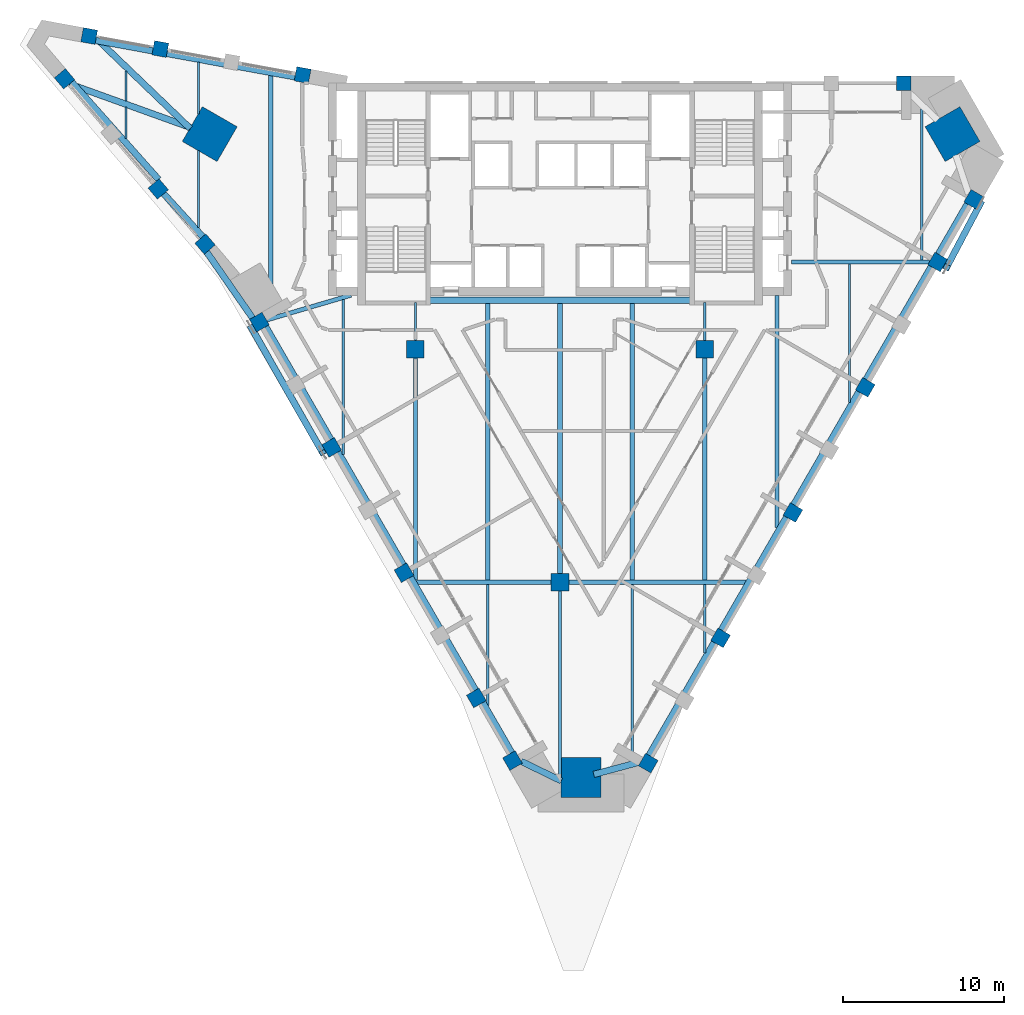
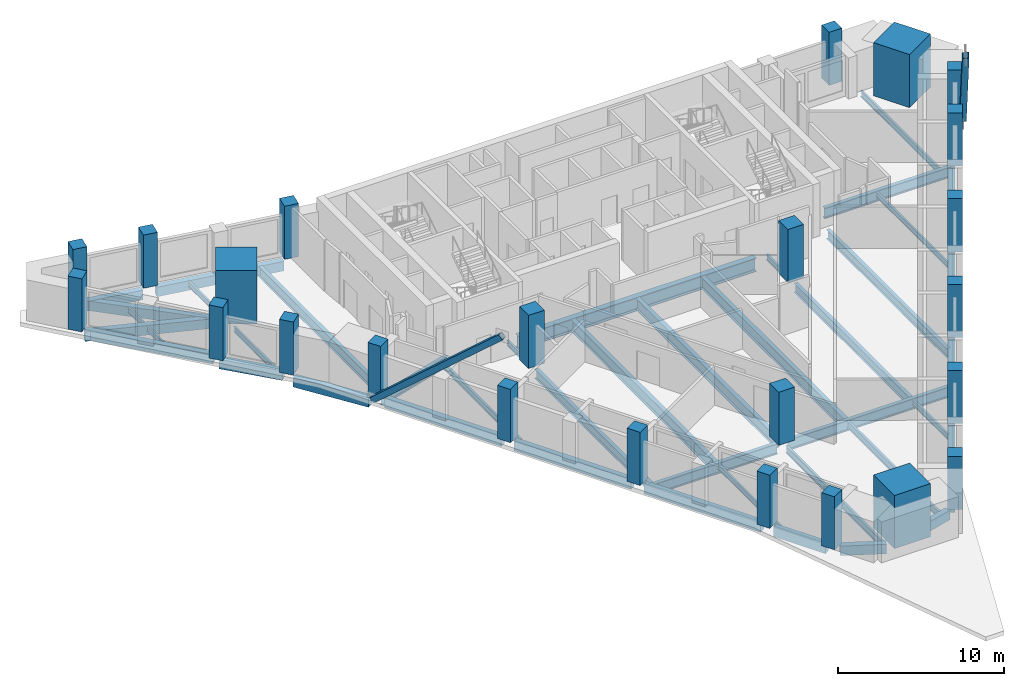
# One storey, part 1 of 9: 43 beams, 24 columns, 2 members.
"""IFC4 building model written with IfcOpenShell, lengths in metres."""

from ifc_helpers import new_model, si_unit, direction, frame, origin, origin_2d, place, context, subcontext, project, spatial, rectangle, hollow_rectangle, i_section, extrude, material, material_profile, profile_set, type_object, element, save


model = new_model("IFC4")

# Units and contexts
model_context = context("Model", 3, precision=1e-05, world=origin(), true_north=direction((0.0, 1.0)))
body_context = subcontext(model_context, "Body", "Model", "MODEL_VIEW")
ifc_project = project(units=[si_unit("LENGTHUNIT", "METRE"), si_unit("AREAUNIT", "SQUARE_METRE"), si_unit("VOLUMEUNIT", "CUBIC_METRE"), si_unit("PLANEANGLEUNIT", "RADIAN"), si_unit("MASSUNIT", "GRAM", prefix="KILO")], contexts=[model_context])

# Site, building, storey
site_placement = place(None, origin())
site = spatial("IfcSite", under=ifc_project, at=site_placement, CompositionType="ELEMENT")
building_placement = place(site_placement, origin())
building = spatial("IfcBuilding", under=site, at=building_placement, Name="Calabash Gate Tower", CompositionType="ELEMENT")
storey_placement = place(building_placement, frame((0.0, 0.0, 196.39990234375)))
storey = spatial("IfcBuildingStorey", under=building, at=storey_placement, Name="L46", CompositionType="ELEMENT", Elevation=196.39990234375)

# Columns
ifc_material_1 = material(Name="Concrete C60/75", Category="concrete")
ifc_material_profile_1 = material_profile(ifc_material_1, rectangle(XDim=1.10009765625, YDim=1.10009765625, at=origin_2d()))
ifc_profile_set_1 = profile_set([ifc_material_profile_1], Name="Concrete C60/75")
column_type_1 = type_object("IfcColumnType", Name="Interior column RC 1100x1100 Concrete C60/75", PredefinedType="COLUMN", material=ifc_profile_set_1)
for number, where, z_axis, x_axis, name in (
    (1, (-9.0, 2.5, 0.0), (0.0, 0.0, 1.0), (1.0, 0.0, 0.0), "Interior column L46 I0"),
    (2, (9.0, 2.5, 0.0), (0.0, 0.0, 1.0), (1.0, 0.0, 0.0), "Interior column L46 I1"),
    (3, (0.0, -12.0, 0.0), (0.0, 0.0, 1.0), (1.0, 0.0, 0.0), "Interior column L46 I2"),
):
    element("IfcColumn", number, at=place(storey_placement, frame(where, z_axis=z_axis, x_axis=x_axis)), inside=storey, type_object=column_type_1, Name=name, PredefinedType="COLUMN", context=body_context, shape_type="SweptSolid", body=[
        extrude(rectangle(XDim=1.10009765625, YDim=1.10009765625, at=origin_2d()), origin(), (0.0, 0.0, 1.0), 3.900146484375),
    ])
ifc_material_2 = material(Name="Concrete C70/85", Category="concrete")
ifc_material_profile_2 = material_profile(ifc_material_2, rectangle(XDim=2.5, YDim=2.5, at=origin_2d()))
ifc_profile_set_2 = profile_set([ifc_material_profile_2], Name="Concrete C70/85")
column_type_2 = type_object("IfcColumnType", Name="Mega column RC 2500x2500 Concrete C70/85", PredefinedType="COLUMN", material=ifc_profile_set_2)
for number, where, z_axis, x_axis, name in (
    (4, (-21.7958984375, 15.8798828125, 0.0), (0.0, 0.0, 1.0), (0.866025377604, -0.500000045345, 0.0), "Mega column L46 NW"),
    (5, (24.4169921875, 15.8798828125, 0.0), (0.0, 0.0, 1.0), (-0.866025377604, -0.500000045345, 0.0), "Mega column L46 NE"),
    (6, (1.31005859375, -24.14208984375, 0.0), (0.0, 0.0, 1.0), (0.0, 1.0, 0.0), "Mega column L46 S"),
):
    element("IfcColumn", number, at=place(storey_placement, frame(where, z_axis=z_axis, x_axis=x_axis)), inside=storey, type_object=column_type_2, Name=name, PredefinedType="COLUMN", context=body_context, shape_type="SweptSolid", body=[
        extrude(rectangle(XDim=2.5, YDim=2.5, at=origin_2d()), origin(), (0.0, 0.0, 1.0), 3.900146484375),
    ])
ifc_material_3 = material(Name="Concrete C60/75", Category="concrete")
ifc_material_profile_3 = material_profile(ifc_material_3, rectangle(XDim=0.89990234375, YDim=0.89990234375, at=origin_2d()))
ifc_profile_set_3 = profile_set([ifc_material_profile_3], Name="Concrete C60/75")
column_type_3 = type_object("IfcColumnType", Name="Perimeter column RC 900x900 Concrete C60/75", PredefinedType="COLUMN", material=ifc_profile_set_3)
for number, where, z_axis, x_axis, name in (
    (7, (-18.70703125, 4.18408203125, 0.0), (0.0, 0.0, 1.0), (0.5, -0.866025403784, 0.0), "Perimeter column L46 P00"),
    (8, (-14.20703125, -3.610107421875, 0.0), (0.0, 0.0, 1.0), (0.5, -0.866025403784, 0.0), "Perimeter column L46 P01"),
    (9, (-9.70703125, -11.404052734375, 0.0), (0.0, 0.0, 1.0), (0.5, -0.866025403784, 0.0), "Perimeter column L46 P02"),
    (10, (-5.20703125, -19.198974609375, 0.0), (0.0, 0.0, 1.0), (0.5, -0.866025403784, 0.0), "Perimeter column L46 P03"),
    (11, (-2.95703125, -23.095947265625, 0.0), (0.0, 0.0, 1.0), (0.5, -0.866025403784, 0.0), "Perimeter column L46 P25"),
    (12, (5.486083984375, -23.25390625, 0.0), (0.0, 0.0, 1.0), (0.5, 0.866025403784, 0.0), "Perimeter column L46 P08"),
    (13, (9.986083984375, -15.4599609375, 0.0), (0.0, 0.0, 1.0), (0.5, 0.866025403784, 0.0), "Perimeter column L46 P09"),
    (14, (14.486083984375, -7.6630859375, 0.0), (0.0, 0.0, 1.0), (0.5, 0.866025403784, 0.0), "Perimeter column L46 P10"),
    (15, (18.986083984375, 0.12890625, 0.0), (0.0, 0.0, 1.0), (0.5, 0.866025403784, 0.0), "Perimeter column L46 P11"),
    (16, (23.486083984375, 7.923095703125, 0.0), (0.0, 0.0, 1.0), (0.5, 0.866025403784, 0.0), "Perimeter column L46 P12"),
    (17, (25.736083984375, 11.820068359375, 0.0), (0.0, 0.0, 1.0), (0.5, 0.866025403784, 0.0), "Perimeter column L46 P13"),
    (18, (21.3779296875, 19.052978515625, 0.0), (0.0, 0.0, 1.0), (-1.0, 0.0, 0.0), "Perimeter column L46 P24"),
    (19, (-16.012939453125, 19.551025390625, 0.0), (0.0, 0.0, 1.0), (-0.983669930074, 0.179981856499, 0.0), "Perimeter column L46 P31"),
    (20, (-24.865966796875, 21.1708984375, 0.0), (0.0, 0.0, 1.0), (-0.983669930074, 0.179981856499, 0.0), "Perimeter column L46 P32"),
    (21, (-29.29296875, 21.97998046875, 0.0), (0.0, 0.0, 1.0), (-0.983669930074, 0.179981856499, 0.0), "Perimeter column L46 P33"),
    (22, (-30.827880859375, 19.322021484375, 0.0), (0.0, 0.0, 1.0), (0.647703824985, -0.761892220133, 0.0), "Perimeter column L46 P34"),
    (23, (-24.998046875, 12.467041015625, 0.0), (0.0, 0.0, 1.0), (0.647703824985, -0.761892220133, 0.0), "Perimeter column L46 P20"),
    (24, (-22.083984375, 9.037109375, 0.0), (0.0, 0.0, 1.0), (0.647703824985, -0.761892220133, 0.0), "Perimeter column L46 P35"),
):
    element("IfcColumn", number, at=place(storey_placement, frame(where, z_axis=z_axis, x_axis=x_axis)), inside=storey, type_object=column_type_3, Name=name, PredefinedType="COLUMN", context=body_context, shape_type="SweptSolid", body=[
        extrude(rectangle(XDim=0.89990234375, YDim=0.89990234375, at=origin_2d()), origin(), (0.0, 0.0, 1.0), 3.900146484375),
    ])

# Beams
ifc_material_4 = material(Name="Concrete C50/60", Category="concrete")
ifc_material_profile_4 = material_profile(ifc_material_4, rectangle(XDim=0.39990234375, YDim=0.699951171875, at=origin_2d()))
ifc_profile_set_4 = profile_set([ifc_material_profile_4], Name="Concrete C50/60")
beam_type_1 = type_object("IfcBeamType", Name="Edge beam RC 400x700 Concrete C50/60", PredefinedType="BEAM", material=ifc_profile_set_4)
beam_1_placement = place(storey_placement, frame((-13.80810546875, -3.89990234375, -0.52001953125), z_axis=(0.500091252813, -0.865972712538, 0.0), x_axis=(0.865972712538, 0.500091252813, 0.0)))
element("IfcBeam", 25, at=beam_1_placement, inside=storey, type_object=beam_type_1, Name="Edge beam L46 1", PredefinedType="BEAM", context=body_context, shape_type="SweptSolid", body=[
    extrude(rectangle(XDim=0.39990234375, YDim=0.699951171875, at=origin_2d()), origin(), (0.0, 0.0, 1.0), 8.0986328125),
])
beam_2_placement = place(storey_placement, frame((-9.30810546875, -11.694091796875, -0.52001953125), z_axis=(0.499999880539, -0.866025472755, 0.0), x_axis=(0.866025472755, 0.499999880539, 0.0)))
element("IfcBeam", 26, at=beam_2_placement, inside=storey, type_object=beam_type_1, Name="Edge beam L46 2", PredefinedType="BEAM", context=body_context, shape_type="SweptSolid", body=[
    extrude(rectangle(XDim=0.39990234375, YDim=0.699951171875, at=origin_2d()), origin(), (0.0, 0.0, 1.0), 8.10009765625),
])
beam_3_placement = place(storey_placement, frame((-4.80810546875, -19.488037109375, -0.52001953125), z_axis=(0.499982693035, -0.866035395735, 0.0), x_axis=(0.866035395735, 0.499982693035, 0.0)))
element("IfcBeam", 27, at=beam_3_placement, inside=storey, type_object=beam_type_1, Name="Edge beam L46 3", PredefinedType="BEAM", context=body_context, shape_type="SweptSolid", body=[
    extrude(rectangle(XDim=0.39990234375, YDim=0.699951171875, at=origin_2d()), origin(), (0.0, 0.0, 1.0), 3.600341796875),
])
beam_4_placement = place(storey_placement, frame((-2.4189453125, -23.139892578125, -0.52001953125), z_axis=(0.898841827038, -0.438273168203, 0.0), x_axis=(0.438273168203, 0.898841827038, 0.0)))
element("IfcBeam", 28, at=beam_4_placement, inside=storey, type_object=beam_type_1, Name="Edge beam L46 4", PredefinedType="BEAM", context=body_context, shape_type="SweptSolid", body=[
    extrude(rectangle(XDim=0.39990234375, YDim=0.699951171875, at=origin_2d()), origin(), (0.0, 0.0, 1.0), 2.78125),
])
beam_5_placement = place(storey_placement, frame((2.096923828125, -23.9560546875, -0.52001953125), z_axis=(0.965834015077, 0.25916144644, 0.0), x_axis=(-0.25916144644, 0.965834015077, 0.0)))
element("IfcBeam", 29, at=beam_5_placement, inside=storey, type_object=beam_type_1, Name="Edge beam L46 5", PredefinedType="BEAM", context=body_context, shape_type="SweptSolid", body=[
    extrude(rectangle(XDim=0.39990234375, YDim=0.699951171875, at=origin_2d()), origin(), (0.0, 0.0, 1.0), 3.041015625),
])
beam_6_placement = place(storey_placement, frame((5.5380859375, -22.763916015625, -0.52001953125), z_axis=(0.499977274689, 0.866038523851, 0.0), x_axis=(-0.866038523851, 0.499977274689, 0.0)))
element("IfcBeam", 30, at=beam_6_placement, inside=storey, type_object=beam_type_1, Name="Edge beam L46 6", PredefinedType="BEAM", context=body_context, shape_type="SweptSolid", body=[
    extrude(rectangle(XDim=0.39990234375, YDim=0.699951171875, at=origin_2d()), origin(), (0.0, 0.0, 1.0), 8.10009765625),
])
beam_7_placement = place(storey_placement, frame((10.0380859375, -14.969970703125, -0.52001953125), z_axis=(0.499859838702, 0.866106310826, 0.0), x_axis=(-0.866106310826, 0.499859838702, 0.0)))
element("IfcBeam", 31, at=beam_7_placement, inside=storey, type_object=beam_type_1, Name="Edge beam L46 7", PredefinedType="BEAM", context=body_context, shape_type="SweptSolid", body=[
    extrude(rectangle(XDim=0.39990234375, YDim=0.699951171875, at=origin_2d()), origin(), (0.0, 0.0, 1.0), 8.101806640625),
])
beam_8_placement = place(storey_placement, frame((14.5380859375, -7.176025390625, -0.52001953125), z_axis=(0.499964223975, 0.866046058097, 0.0), x_axis=(-0.866046058097, 0.499964223975, 0.0)))
element("IfcBeam", 32, at=beam_8_placement, inside=storey, type_object=beam_type_1, Name="Edge beam L46 8", PredefinedType="BEAM", context=body_context, shape_type="SweptSolid", body=[
    extrude(rectangle(XDim=0.39990234375, YDim=0.699951171875, at=origin_2d()), origin(), (0.0, 0.0, 1.0), 8.10009765625),
])
beam_9_placement = place(storey_placement, frame((19.0380859375, 0.618896484375, -0.52001953125), z_axis=(0.500016430238, 0.866015917575, 0.0), x_axis=(-0.866015917575, 0.500016430238, 0.0)))
element("IfcBeam", 33, at=beam_9_placement, inside=storey, type_object=beam_type_1, Name="Edge beam L46 9", PredefinedType="BEAM", context=body_context, shape_type="SweptSolid", body=[
    extrude(rectangle(XDim=0.39990234375, YDim=0.699951171875, at=origin_2d()), origin(), (0.0, 0.0, 1.0), 8.099365234375),
])
beam_10_placement = place(storey_placement, frame((23.5380859375, 8.4130859375, -0.52001953125), z_axis=(0.500049301049, 0.86599693794, 0.0), x_axis=(-0.86599693794, 0.500049301049, 0.0)))
element("IfcBeam", 34, at=beam_10_placement, inside=storey, type_object=beam_type_1, Name="Edge beam L46 10", PredefinedType="BEAM", context=body_context, shape_type="SweptSolid", body=[
    extrude(rectangle(XDim=0.39990234375, YDim=0.699951171875, at=origin_2d()), origin(), (0.0, 0.0, 1.0), 3.599365234375),
])
beam_11_placement = place(storey_placement, frame((-16.491943359375, 19.43701171875, -0.52001953125), z_axis=(-0.983710376503, 0.179760660767, 0.0), x_axis=(-0.179760660767, -0.983710376503, 0.0)))
element("IfcBeam", 35, at=beam_11_placement, inside=storey, type_object=beam_type_1, Name="Edge beam L46 13", PredefinedType="BEAM", context=body_context, shape_type="SweptSolid", body=[
    extrude(rectangle(XDim=0.39990234375, YDim=0.699951171875, at=origin_2d()), origin(), (0.0, 0.0, 1.0), 8.099853515625),
])
beam_12_placement = place(storey_placement, frame((-25.343017578125, 21.056884765625, -0.52001953125), z_axis=(-0.983780846892, 0.179374594879, 0.0), x_axis=(-0.179374594879, -0.983780846892, 0.0)))
element("IfcBeam", 36, at=beam_12_placement, inside=storey, type_object=beam_type_1, Name="Edge beam L46 14", PredefinedType="BEAM", context=body_context, shape_type="SweptSolid", body=[
    extrude(rectangle(XDim=0.39990234375, YDim=0.699951171875, at=origin_2d()), origin(), (0.0, 0.0, 1.0), 3.601318359375),
])
beam_13_placement = place(storey_placement, frame((-28.8701171875, 21.85009765625, -0.52001953125), z_axis=(0.721557989664, -0.692354004504, 0.0), x_axis=(0.692354004504, 0.721557989664, 0.0)))
element("IfcBeam", 37, at=beam_13_placement, inside=storey, type_object=beam_type_1, Name="Edge beam L46 15", PredefinedType="BEAM", context=body_context, shape_type="SweptSolid", body=[
    extrude(rectangle(XDim=0.39990234375, YDim=0.699951171875, at=origin_2d()), origin(), (0.0, 0.0, 1.0), 8.117431640625),
])
beam_14_placement = place(storey_placement, frame((-22.98193359375, 16.287109375, -0.52001953125), z_axis=(-0.940926223846, 0.338611637837, 0.0), x_axis=(-0.338611637837, -0.940926223846, 0.0)))
element("IfcBeam", 38, at=beam_14_placement, inside=storey, type_object=beam_type_1, Name="Edge beam L46 16", PredefinedType="BEAM", context=body_context, shape_type="SweptSolid", body=[
    extrude(rectangle(XDim=0.39990234375, YDim=0.699951171875, at=origin_2d()), origin(), (0.0, 0.0, 1.0), 8.017578125),
])
beam_15_placement = place(storey_placement, frame((-30.389892578125, 19.132080078125, -0.52001953125), z_axis=(0.665233110043, -0.746635727315, 0.0), x_axis=(0.746635727315, 0.665233110043, 0.0)))
element("IfcBeam", 39, at=beam_15_placement, inside=storey, type_object=beam_type_1, Name="Edge beam L46 17", PredefinedType="BEAM", context=body_context, shape_type="SweptSolid", body=[
    extrude(rectangle(XDim=0.39990234375, YDim=0.699951171875, at=origin_2d()), origin(), (0.0, 0.0, 1.0), 8.13671875),
])
beam_16_placement = place(storey_placement, frame((-24.910888671875, 12.449951171875, -0.52001953125), z_axis=(0.672053664313, -0.740502445832, 0.0), x_axis=(0.740502445832, 0.672053664313, 0.0)))
element("IfcBeam", 40, at=beam_16_placement, inside=storey, type_object=beam_type_1, Name="Edge beam L46 18", PredefinedType="BEAM", context=body_context, shape_type="SweptSolid", body=[
    extrude(rectangle(XDim=0.39990234375, YDim=0.699951171875, at=origin_2d()), origin(), (0.0, 0.0, 1.0), 4.00537109375),
])
beam_17_placement = place(storey_placement, frame((-21.98291015625, 8.5458984375, -0.52001953125), z_axis=(0.570816289465, -0.821077806107, 0.0), x_axis=(0.821077806107, 0.570816289465, 0.0)))
element("IfcBeam", 41, at=beam_17_placement, inside=storey, type_object=beam_type_1, Name="Edge beam L46 19", PredefinedType="BEAM", context=body_context, shape_type="SweptSolid", body=[
    extrude(rectangle(XDim=0.39990234375, YDim=0.699951171875, at=origin_2d()), origin(), (0.0, 0.0, 1.0), 5.015380859375),
])
beam_18_placement = place(storey_placement, frame((-18.30810546875, 3.89404296875, -0.52001953125), z_axis=(0.500039036678, -0.866002864775, 0.0), x_axis=(0.866002864775, 0.500039036678, 0.0)))
element("IfcBeam", 42, at=beam_18_placement, inside=storey, type_object=beam_type_1, Name="Edge beam L46 20", PredefinedType="BEAM", context=body_context, shape_type="SweptSolid", body=[
    extrude(rectangle(XDim=0.39990234375, YDim=0.699951171875, at=origin_2d()), origin(), (0.0, 0.0, 1.0), 8.099365234375),
])
ifc_material_5 = material(Name="Steel ASTM A992 Gr50", Category="steel")
ifc_material_profile_5 = material_profile(ifc_material_5, i_section(OverallWidth=0.1396484375, OverallDepth=0.398681640625, WebThickness=0.00634765625, FlangeThickness=0.0087890625, FilletRadius=0.01025390625, at=origin_2d()))
ifc_profile_set_5 = profile_set([ifc_material_profile_5], Name="Steel ASTM A992 Gr50")
beam_type_2 = type_object("IfcBeamType", Name="Floor beam W16x26 ASTM A992 Gr50", PredefinedType="BEAM", material=ifc_profile_set_5)
beam_19_placement = place(storey_placement, frame((-27.0, 15.595947265625, -0.368896484375), z_axis=(0.0, 1.0, 0.0), x_axis=(-1.0, 0.0, 0.0)))
element("IfcBeam", 43, at=beam_19_placement, inside=storey, type_object=beam_type_2, Name="Floor beam L46 1", PredefinedType="BEAM", context=body_context, shape_type="SweptSolid", body=[
    extrude(i_section(OverallWidth=0.1396484375, OverallDepth=0.398681640625, WebThickness=0.00634765625, FlangeThickness=0.0087890625, FilletRadius=0.01025390625, at=origin_2d()), origin(), (0.0, 0.0, 1.0), 1.9560546875),
])
beam_20_placement = place(storey_placement, frame((-27.0, 17.93310546875, -0.368896484375), z_axis=(0.0, 1.0, 0.0), x_axis=(-1.0, 0.0, 0.0)))
element("IfcBeam", 44, at=beam_20_placement, inside=storey, type_object=beam_type_2, Name="Floor beam L46 2", PredefinedType="BEAM", context=body_context, shape_type="SweptSolid", body=[
    extrude(i_section(OverallWidth=0.1396484375, OverallDepth=0.398681640625, WebThickness=0.00634765625, FlangeThickness=0.0087890625, FilletRadius=0.01025390625, at=origin_2d()), origin(), (0.0, 0.0, 1.0), 1.866943359375),
])
beam_21_placement = place(storey_placement, frame((-22.5, 10.06201171875, -0.368896484375), z_axis=(0.0, 1.0, 0.0), x_axis=(-1.0, 0.0, 0.0)))
element("IfcBeam", 45, at=beam_21_placement, inside=storey, type_object=beam_type_2, Name="Floor beam L46 3", PredefinedType="BEAM", context=body_context, shape_type="SweptSolid", body=[
    extrude(i_section(OverallWidth=0.1396484375, OverallDepth=0.398681640625, WebThickness=0.00634765625, FlangeThickness=0.0087890625, FilletRadius=0.01025390625, at=origin_2d()), origin(), (0.0, 0.0, 1.0), 4.81103515625),
])
beam_22_placement = place(storey_placement, frame((-22.5, 17.132080078125, -0.368896484375), z_axis=(0.0, 1.0, 0.0), x_axis=(-1.0, 0.0, 0.0)))
element("IfcBeam", 46, at=beam_22_placement, inside=storey, type_object=beam_type_2, Name="Floor beam L46 4", PredefinedType="BEAM", context=body_context, shape_type="SweptSolid", body=[
    extrude(i_section(OverallWidth=0.1396484375, OverallDepth=0.398681640625, WebThickness=0.00634765625, FlangeThickness=0.0087890625, FilletRadius=0.01025390625, at=origin_2d()), origin(), (0.0, 0.0, 1.0), 3.23095703125),
])
beam_23_placement = place(storey_placement, frame((-9.0, 3.050048828125, -0.368896484375), z_axis=(0.0, 1.0, 0.0), x_axis=(-1.0, 0.0, 0.0)))
element("IfcBeam", 47, at=beam_23_placement, inside=storey, type_object=beam_type_2, Name="Floor beam L46 8", PredefinedType="BEAM", context=body_context, shape_type="SweptSolid", body=[
    extrude(i_section(OverallWidth=0.1396484375, OverallDepth=0.398681640625, WebThickness=0.00634765625, FlangeThickness=0.0087890625, FilletRadius=0.01025390625, at=origin_2d()), origin(), (0.0, 0.0, 1.0), 2.35302734375),
])
beam_24_placement = place(storey_placement, frame((-4.5, -19.654052734375, -0.368896484375), z_axis=(0.0, 1.0, 0.0), x_axis=(-1.0, 0.0, 0.0)))
element("IfcBeam", 48, at=beam_24_placement, inside=storey, type_object=beam_type_2, Name="Floor beam L46 9", PredefinedType="BEAM", context=body_context, shape_type="SweptSolid", body=[
    extrude(i_section(OverallWidth=0.1396484375, OverallDepth=0.398681640625, WebThickness=0.00634765625, FlangeThickness=0.0087890625, FilletRadius=0.01025390625, at=origin_2d()), origin(), (0.0, 0.0, 1.0), 7.52099609375),
])
beam_25_placement = place(storey_placement, frame((9.0, -16.39892578125, -0.368896484375), z_axis=(0.0, 1.0, 0.0), x_axis=(-1.0, 0.0, 0.0)))
element("IfcBeam", 49, at=beam_25_placement, inside=storey, type_object=beam_type_2, Name="Floor beam L46 15", PredefinedType="BEAM", context=body_context, shape_type="SweptSolid", body=[
    extrude(i_section(OverallWidth=0.1396484375, OverallDepth=0.398681640625, WebThickness=0.00634765625, FlangeThickness=0.0087890625, FilletRadius=0.01025390625, at=origin_2d()), origin(), (0.0, 0.0, 1.0), 4.265869140625),
])
beam_26_placement = place(storey_placement, frame((9.0, 3.050048828125, -0.368896484375), z_axis=(0.0, 1.0, 0.0), x_axis=(-1.0, 0.0, 0.0)))
element("IfcBeam", 50, at=beam_26_placement, inside=storey, type_object=beam_type_2, Name="Floor beam L46 17", PredefinedType="BEAM", context=body_context, shape_type="SweptSolid", body=[
    extrude(i_section(OverallWidth=0.1396484375, OverallDepth=0.398681640625, WebThickness=0.00634765625, FlangeThickness=0.0087890625, FilletRadius=0.01025390625, at=origin_2d()), origin(), (0.0, 0.0, 1.0), 2.35302734375),
])
beam_27_placement = place(storey_placement, frame((18.0, -0.81103515625, -0.368896484375), z_axis=(0.0, 1.0, 0.0), x_axis=(-1.0, 0.0, 0.0)))
element("IfcBeam", 51, at=beam_27_placement, inside=storey, type_object=beam_type_2, Name="Floor beam L46 19", PredefinedType="BEAM", context=body_context, shape_type="SweptSolid", body=[
    extrude(i_section(OverallWidth=0.1396484375, OverallDepth=0.398681640625, WebThickness=0.00634765625, FlangeThickness=0.0087890625, FilletRadius=0.01025390625, at=origin_2d()), origin(), (0.0, 0.0, 1.0), 8.60107421875),
])
ifc_material_6 = material(Name="Steel ASTM A992 Gr50", Category="steel")
ifc_material_profile_6 = material_profile(ifc_material_6, i_section(OverallWidth=0.15234375, OverallDepth=0.44970703125, WebThickness=0.007568359375, FlangeThickness=0.0107421875, FilletRadius=0.01025390625, at=origin_2d()))
ifc_profile_set_6 = profile_set([ifc_material_profile_6], Name="Steel ASTM A992 Gr50")
beam_type_3 = type_object("IfcBeamType", Name="Floor beam W18x35 ASTM A992 Gr50", PredefinedType="BEAM", material=ifc_profile_set_6)
beam_28_placement = place(storey_placement, frame((-13.5, -4.0458984375, -0.392822265625), z_axis=(0.0, 1.0, 0.0), x_axis=(-1.0, 0.0, 0.0)))
element("IfcBeam", 52, at=beam_28_placement, inside=storey, type_object=beam_type_3, Name="Floor beam L46 6", PredefinedType="BEAM", context=body_context, shape_type="SweptSolid", body=[
    extrude(i_section(OverallWidth=0.15234375, OverallDepth=0.44970703125, WebThickness=0.007568359375, FlangeThickness=0.0107421875, FilletRadius=0.01025390625, at=origin_2d()), origin(), (0.0, 0.0, 1.0), 9.642822265625),
])
beam_29_placement = place(storey_placement, frame((22.5, 8.055908203125, -0.392822265625), z_axis=(0.0, 1.0, 0.0), x_axis=(-1.0, 0.0, 0.0)))
element("IfcBeam", 53, at=beam_29_placement, inside=storey, type_object=beam_type_3, Name="Floor beam L46 20", PredefinedType="BEAM", context=body_context, shape_type="SweptSolid", body=[
    extrude(i_section(OverallWidth=0.15234375, OverallDepth=0.44970703125, WebThickness=0.007568359375, FlangeThickness=0.0107421875, FilletRadius=0.01025390625, at=origin_2d()), origin(), (0.0, 0.0, 1.0), 9.385986328125),
])
ifc_material_7 = material(Name="Steel ASTM A992 Gr50", Category="steel")
ifc_material_profile_7 = material_profile(ifc_material_7, i_section(OverallWidth=0.166015625, OverallDepth=0.5283203125, WebThickness=0.009765625, FlangeThickness=0.013671875, FilletRadius=0.0126953125, at=origin_2d()))
ifc_profile_set_7 = profile_set([ifc_material_profile_7], Name="Steel ASTM A992 Gr50")
beam_type_4 = type_object("IfcBeamType", Name="Floor beam W21x50 ASTM A992 Gr50", PredefinedType="BEAM", material=ifc_profile_set_7)
beam_30_placement = place(storey_placement, frame((0.0, -24.117919921875, -0.433837890625), z_axis=(0.0, 1.0, 0.0), x_axis=(-1.0, 0.0, 0.0)))
element("IfcBeam", 54, at=beam_30_placement, inside=storey, type_object=beam_type_4, Name="Floor beam L46 11", PredefinedType="BEAM", context=body_context, shape_type="SweptSolid", body=[
    extrude(i_section(OverallWidth=0.166015625, OverallDepth=0.5283203125, WebThickness=0.009765625, FlangeThickness=0.013671875, FilletRadius=0.0126953125, at=origin_2d()), origin(), (0.0, 0.0, 1.0), 11.56787109375),
])
beam_31_placement = place(storey_placement, frame((4.5, -23.1259765625, -0.433837890625), z_axis=(0.0, 1.0, 0.0), x_axis=(-1.0, 0.0, 0.0)))
element("IfcBeam", 55, at=beam_31_placement, inside=storey, type_object=beam_type_4, Name="Floor beam L46 13", PredefinedType="BEAM", context=body_context, shape_type="SweptSolid", body=[
    extrude(i_section(OverallWidth=0.166015625, OverallDepth=0.5283203125, WebThickness=0.009765625, FlangeThickness=0.013671875, FilletRadius=0.0126953125, at=origin_2d()), origin(), (0.0, 0.0, 1.0), 10.992919921875),
])
ifc_material_8 = material(Name="Steel ASTM A992 Gr50", Category="steel")
ifc_material_profile_8 = material_profile(ifc_material_8, i_section(OverallWidth=0.25390625, OverallDepth=0.67822265625, WebThickness=0.01171875, FlangeThickness=0.016357421875, FilletRadius=0.01513671875, at=origin_2d()))
ifc_profile_set_8 = profile_set([ifc_material_profile_8], Name="Steel ASTM A992 Gr50")
beam_type_5 = type_object("IfcBeamType", Name="Floor beam W27x84 ASTM A992 Gr50", PredefinedType="BEAM", material=ifc_profile_set_8)
beam_32_placement = place(storey_placement, frame((-9.0, -11.860107421875, -0.5087890625), z_axis=(0.0, 1.0, 0.0), x_axis=(-1.0, 0.0, 0.0)))
element("IfcBeam", 56, at=beam_32_placement, inside=storey, type_object=beam_type_5, Name="Floor beam L46 7", PredefinedType="BEAM", context=body_context, shape_type="SweptSolid", body=[
    extrude(i_section(OverallWidth=0.25390625, OverallDepth=0.67822265625, WebThickness=0.01171875, FlangeThickness=0.016357421875, FilletRadius=0.01513671875, at=origin_2d()), origin(), (0.0, 0.0, 1.0), 13.81005859375),
])
beam_33_placement = place(storey_placement, frame((9.0, -11.866943359375, -0.5087890625), z_axis=(0.0, 1.0, 0.0), x_axis=(-1.0, 0.0, 0.0)))
element("IfcBeam", 57, at=beam_33_placement, inside=storey, type_object=beam_type_5, Name="Floor beam L46 16", PredefinedType="BEAM", context=body_context, shape_type="SweptSolid", body=[
    extrude(i_section(OverallWidth=0.25390625, OverallDepth=0.67822265625, WebThickness=0.01171875, FlangeThickness=0.016357421875, FilletRadius=0.01513671875, at=origin_2d()), origin(), (0.0, 0.0, 1.0), 13.81689453125),
])
beam_34_placement = place(storey_placement, frame((13.5, -8.5830078125, -0.5087890625), z_axis=(0.0, 1.0, 0.0), x_axis=(-1.0, 0.0, 0.0)))
element("IfcBeam", 58, at=beam_34_placement, inside=storey, type_object=beam_type_5, Name="Floor beam L46 18", PredefinedType="BEAM", context=body_context, shape_type="SweptSolid", body=[
    extrude(i_section(OverallWidth=0.25390625, OverallDepth=0.67822265625, WebThickness=0.01171875, FlangeThickness=0.016357421875, FilletRadius=0.01513671875, at=origin_2d()), origin(), (0.0, 0.0, 1.0), 14.43603515625),
])
ifc_material_9 = material(Name="Steel ASTM A992 Gr50", Category="steel")
ifc_material_profile_9 = material_profile(ifc_material_9, i_section(OverallWidth=0.2666015625, OverallDepth=0.7568359375, WebThickness=0.013916015625, FlangeThickness=0.019287109375, FilletRadius=0.0166015625, at=origin_2d()))
ifc_profile_set_9 = profile_set([ifc_material_profile_9], Name="Steel ASTM A992 Gr50")
beam_type_6 = type_object("IfcBeamType", Name="Floor beam W30x108 ASTM A992 Gr50", PredefinedType="BEAM", material=ifc_profile_set_9)
beam_35_placement = place(storey_placement, frame((-18.0, 4.508056640625, -0.5478515625), z_axis=(0.0, 1.0, 0.0), x_axis=(-1.0, 0.0, 0.0)))
element("IfcBeam", 59, at=beam_35_placement, inside=storey, type_object=beam_type_6, Name="Floor beam L46 5", PredefinedType="BEAM", context=body_context, shape_type="SweptSolid", body=[
    extrude(i_section(OverallWidth=0.2666015625, OverallDepth=0.7568359375, WebThickness=0.013916015625, FlangeThickness=0.019287109375, FilletRadius=0.0166015625, at=origin_2d()), origin(), (0.0, 0.0, 1.0), 15.031982421875),
])
ifc_material_10 = material(Name="Steel ASTM A992 Gr50", Category="steel")
ifc_material_profile_10 = material_profile(ifc_material_10, i_section(OverallWidth=0.2919921875, OverallDepth=0.845703125, WebThickness=0.015380859375, FlangeThickness=0.0244140625, FilletRadius=0.017822265625, at=origin_2d()))
ifc_profile_set_10 = profile_set([ifc_material_profile_10], Name="Steel ASTM A992 Gr50")
beam_type_7 = type_object("IfcBeamType", Name="Floor beam W33x141 ASTM A992 Gr50", PredefinedType="BEAM", material=ifc_profile_set_10)
beam_36_placement = place(storey_placement, frame((-4.5, -11.866943359375, -0.593017578125), z_axis=(0.0, 1.0, 0.0), x_axis=(-1.0, 0.0, 0.0)))
element("IfcBeam", 60, at=beam_36_placement, inside=storey, type_object=beam_type_7, Name="Floor beam L46 10", PredefinedType="BEAM", context=body_context, shape_type="SweptSolid", body=[
    extrude(i_section(OverallWidth=0.2919921875, OverallDepth=0.845703125, WebThickness=0.015380859375, FlangeThickness=0.0244140625, FilletRadius=0.017822265625, at=origin_2d()), origin(), (0.0, 0.0, 1.0), 17.218994140625),
])
beam_37_placement = place(storey_placement, frame((0.0, -11.449951171875, -0.593017578125), z_axis=(0.0, 1.0, 0.0), x_axis=(-1.0, 0.0, 0.0)))
element("IfcBeam", 61, at=beam_37_placement, inside=storey, type_object=beam_type_7, Name="Floor beam L46 12", PredefinedType="BEAM", context=body_context, shape_type="SweptSolid", body=[
    extrude(i_section(OverallWidth=0.2919921875, OverallDepth=0.845703125, WebThickness=0.015380859375, FlangeThickness=0.0244140625, FilletRadius=0.017822265625, at=origin_2d()), origin(), (0.0, 0.0, 1.0), 16.802001953125),
])
beam_38_placement = place(storey_placement, frame((4.5, -11.866943359375, -0.593017578125), z_axis=(0.0, 1.0, 0.0), x_axis=(-1.0, 0.0, 0.0)))
element("IfcBeam", 62, at=beam_38_placement, inside=storey, type_object=beam_type_7, Name="Floor beam L46 14", PredefinedType="BEAM", context=body_context, shape_type="SweptSolid", body=[
    extrude(i_section(OverallWidth=0.2919921875, OverallDepth=0.845703125, WebThickness=0.015380859375, FlangeThickness=0.0244140625, FilletRadius=0.017822265625, at=origin_2d()), origin(), (0.0, 0.0, 1.0), 17.218994140625),
])
ifc_material_11 = material(Name="Steel ASTM A992 Gr50", Category="steel")
ifc_material_profile_11 = material_profile(ifc_material_11, i_section(OverallWidth=0.2666015625, OverallDepth=0.77978515625, WebThickness=0.0166015625, FlangeThickness=0.030029296875, FilletRadius=0.0166015625, at=origin_2d()))
ifc_profile_set_11 = profile_set([ifc_material_profile_11], Name="Steel ASTM A992 Gr50")
beam_type_8 = type_object("IfcBeamType", Name="Girder W30x148 ASTM A992 Gr50", PredefinedType="BEAM", material=ifc_profile_set_11)
beam_39_placement = place(storey_placement, frame((-18.4560546875, 4.258056640625, -0.559814453125), z_axis=(0.959536962642, 0.281582700682, 0.0), x_axis=(-0.281582700682, 0.959536962642, 0.0)))
element("IfcBeam", 63, at=beam_39_placement, inside=storey, type_object=beam_type_8, Name="Girder L46 2", PredefinedType="BEAM", context=body_context, shape_type="SweptSolid", body=[
    extrude(i_section(OverallWidth=0.2666015625, OverallDepth=0.77978515625, WebThickness=0.0166015625, FlangeThickness=0.030029296875, FilletRadius=0.0166015625, at=origin_2d()), origin(), (0.0, 0.0, 1.0), 5.68505859375),
])
beam_40_placement = place(storey_placement, frame((23.16796875, 7.923095703125, -0.559814453125), z_axis=(-1.0, 0.0, 0.0), x_axis=(0.0, -1.0, 0.0)))
element("IfcBeam", 64, at=beam_40_placement, inside=storey, type_object=beam_type_8, Name="Girder L46 3", PredefinedType="BEAM", context=body_context, shape_type="SweptSolid", body=[
    extrude(i_section(OverallWidth=0.2666015625, OverallDepth=0.77978515625, WebThickness=0.0166015625, FlangeThickness=0.030029296875, FilletRadius=0.0166015625, at=origin_2d()), origin(), (0.0, 0.0, 1.0), 8.76806640625),
])
beam_41_placement = place(storey_placement, frame((-8.93310546875, -12.0, -0.559814453125), z_axis=(1.0, 0.0, 0.0), x_axis=(0.0, 1.0, 0.0)))
element("IfcBeam", 65, at=beam_41_placement, inside=storey, type_object=beam_type_8, Name="Girder L46 4", PredefinedType="BEAM", context=body_context, shape_type="SweptSolid", body=[
    extrude(i_section(OverallWidth=0.2666015625, OverallDepth=0.77978515625, WebThickness=0.0166015625, FlangeThickness=0.030029296875, FilletRadius=0.0166015625, at=origin_2d()), origin(), (0.0, 0.0, 1.0), 8.56298828125),
])
beam_42_placement = place(storey_placement, frame((0.3701171875, -12.0, -0.559814453125), z_axis=(1.0, 0.0, 0.0), x_axis=(0.0, 1.0, 0.0)))
element("IfcBeam", 66, at=beam_42_placement, inside=storey, type_object=beam_type_8, Name="Girder L46 5", PredefinedType="BEAM", context=body_context, shape_type="SweptSolid", body=[
    extrude(i_section(OverallWidth=0.2666015625, OverallDepth=0.77978515625, WebThickness=0.0166015625, FlangeThickness=0.030029296875, FilletRadius=0.0166015625, at=origin_2d()), origin(), (0.0, 0.0, 1.0), 11.182861328125),
])
ifc_material_12 = material(Name="Steel ASTM A992 Gr50", Category="steel")
ifc_material_profile_12 = material_profile(ifc_material_12, i_section(OverallWidth=0.4013671875, OverallDepth=1.000732421875, WebThickness=0.01904296875, FlangeThickness=0.0361328125, FilletRadius=0.030029296875, at=origin_2d()))
ifc_profile_set_12 = profile_set([ifc_material_profile_12], Name="Steel ASTM A992 Gr50")
beam_type_9 = type_object("IfcBeamType", Name="Girder W40x249 ASTM A992 Gr50", PredefinedType="BEAM", material=ifc_profile_set_12)
beam_43_placement = place(storey_placement, frame((-8.25, 5.552978515625, -0.669921875), z_axis=(1.0, 0.0, 0.0), x_axis=(0.0, 1.0, 0.0)))
element("IfcBeam", 67, at=beam_43_placement, inside=storey, type_object=beam_type_9, Name="Girder L46 1", PredefinedType="BEAM", context=body_context, shape_type="SweptSolid", body=[
    extrude(i_section(OverallWidth=0.4013671875, OverallDepth=1.000732421875, WebThickness=0.01904296875, FlangeThickness=0.0361328125, FilletRadius=0.030029296875, at=origin_2d()), origin(), (0.0, 0.0, 1.0), 16.5),
])

# Members
ifc_material_13 = material(Name="Steel ASTM A500 Gr C", Category="steel")
ifc_material_profile_13 = material_profile(ifc_material_13, hollow_rectangle(XDim=0.406494140625, YDim=0.406494140625, WallThickness=0.015869140625, at=origin_2d()))
ifc_profile_set_13 = profile_set([ifc_material_profile_13], Name="Steel ASTM A500 Gr C")
member_type = type_object("IfcMemberType", Name="Mega-brace HSS16X16X.625 ASTM A500 Gr C", PredefinedType="BRACE", material=ifc_profile_set_13)
member_1_placement = place(storey_placement, frame((-19.22412109375, 3.8701171875, 0.0), z_axis=(0.374112691356, -0.656046149246, 0.655471695977), x_axis=(0.868682470078, 0.49536932301, 0.0)))
element("IfcMember", 68, at=member_1_placement, inside=storey, type_object=member_type, Name="Mega-brace SW Z4 28", PredefinedType="BRACE", context=body_context, shape_type="SweptSolid", body=[
    extrude(hollow_rectangle(XDim=0.406494140625, YDim=0.406494140625, WallThickness=0.015869140625, at=origin_2d()), origin(), (0.0, 0.0, 1.0), 11.89990234375),
])
member_2_placement = place(storey_placement, frame((26.156005859375, 11.577880859375, 0.0), z_axis=(-0.233657207524, -0.442051245975, 0.866022520091), x_axis=(0.884093660436, -0.467309746931, 0.0)))
element("IfcMember", 69, at=member_2_placement, inside=storey, type_object=member_type, Name="Mega-brace SE Z4 32", PredefinedType="BRACE", context=body_context, shape_type="SweptSolid", body=[
    extrude(hollow_rectangle(XDim=0.406494140625, YDim=0.406494140625, WallThickness=0.015869140625, at=origin_2d()), origin(), (0.0, 0.0, 1.0), 9.0068359375),
])

save(model, "model.ifc")
